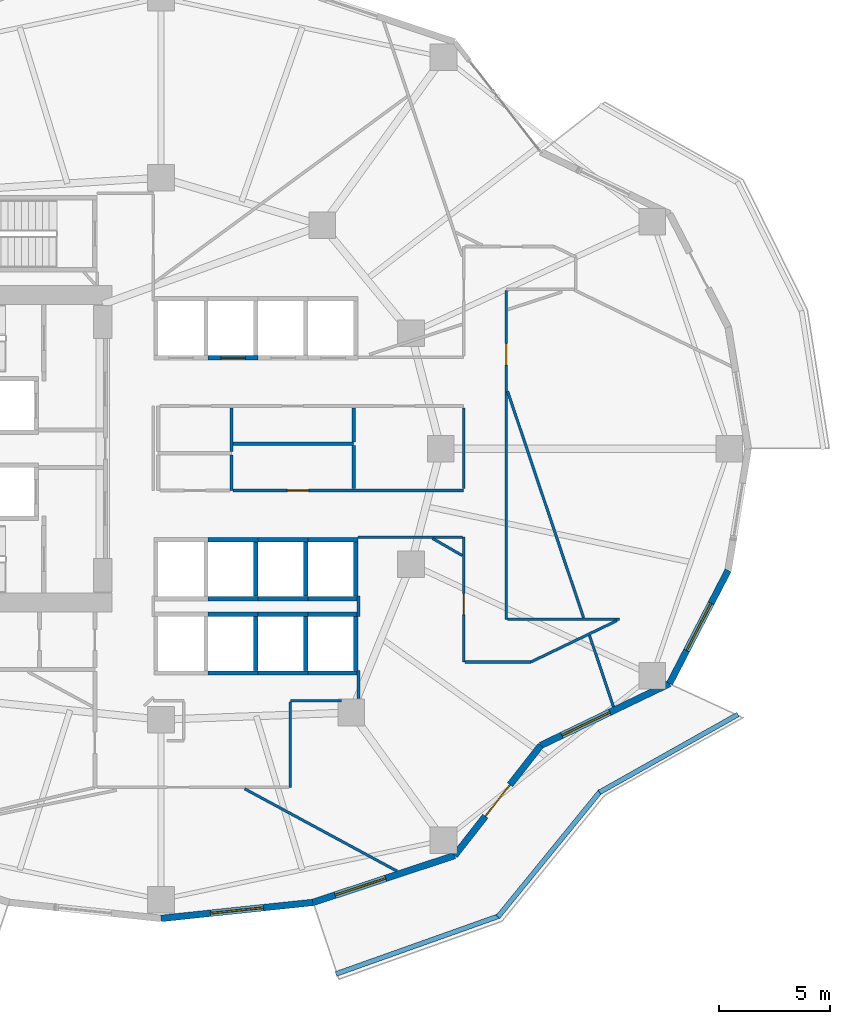
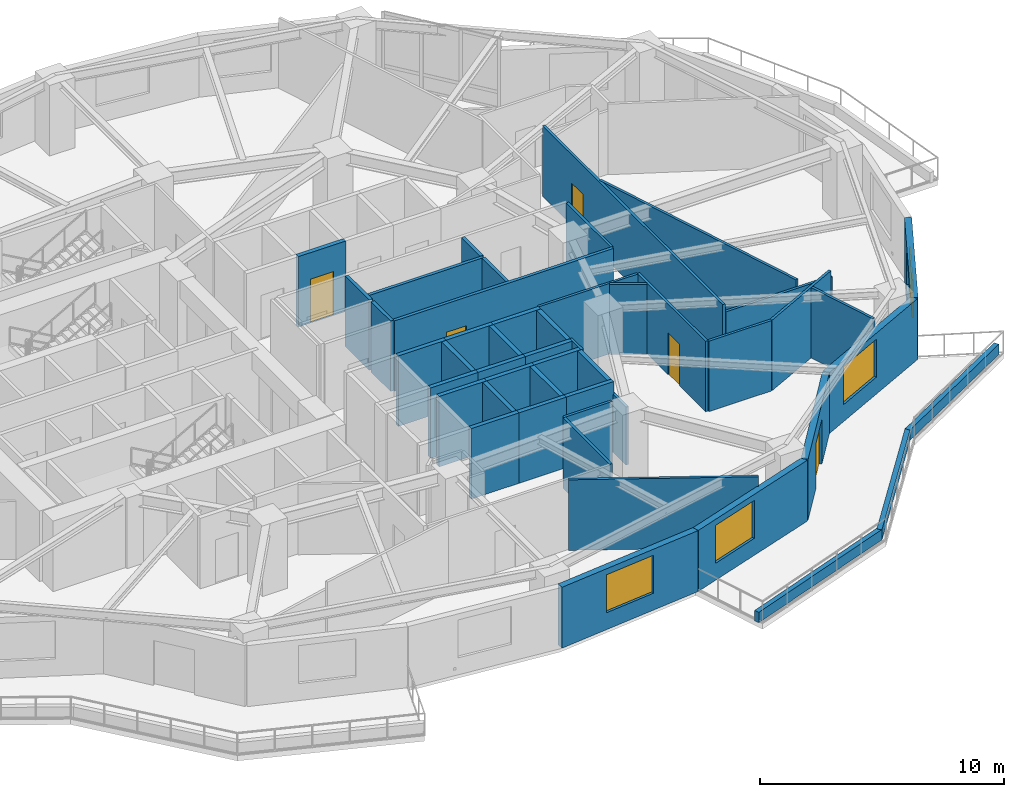
# One storey, part 7 of 12: 48 walls, 5 doors, 4 windows, 9 openings.
"""IFC4 building model written with IfcOpenShell, lengths in metres."""

from ifc_helpers import new_model, si_unit, direction, frame, frame_2d, origin, place, context, subcontext, project, spatial, rectangle, extrude, material, layer, layer_set, type_object, element, fill, save


model = new_model("IFC4")

# Units and contexts
model_context = context("Model", 3, precision=1e-05, world=origin(), true_north=direction((0.0, 1.0)))
body_context = subcontext(model_context, "Body", "Model", "MODEL_VIEW")
ifc_project = project(units=[si_unit("LENGTHUNIT", "METRE"), si_unit("AREAUNIT", "SQUARE_METRE"), si_unit("VOLUMEUNIT", "CUBIC_METRE"), si_unit("PLANEANGLEUNIT", "RADIAN"), si_unit("MASSUNIT", "GRAM", prefix="KILO")], contexts=[model_context])

# Site, building, storey
site_placement = place(None, origin())
site = spatial("IfcSite", under=ifc_project, at=site_placement, CompositionType="ELEMENT")
building_placement = place(site_placement, origin())
building = spatial("IfcBuilding", under=site, at=building_placement, Name="Kolvaren Gate Tower and Convention Centre", CompositionType="ELEMENT")
storey_placement = place(building_placement, frame((0.0, 0.0, 91.949951171875)))
storey = spatial("IfcBuildingStorey", under=building, at=storey_placement, Name="L22", CompositionType="ELEMENT", Elevation=91.949951171875)

# Walls
ifc_material_1 = material(Name="Fire-Rated Acoustic Gypsum Stud Partition", Category="gypsum")
ifc_layer_1 = layer(ifc_material_1, 0.1201171875)
ifc_layer_set_1 = layer_set([ifc_layer_1], Name="Fire-Rated Acoustic Gypsum Stud Partition")
wall_type_1 = type_object("IfcWallType", Name="ARCH-WL-PART-120", PredefinedType="PARTITIONING", material=ifc_layer_set_1)
wall_1_placement = place(storey_placement, frame((35.949951171875, 15.64990234375, 0.0), z_axis=(0.0, 0.0, 1.0), x_axis=(1.0, 0.0, 0.0)))
element("IfcWall", 1, at=wall_1_placement, inside=storey, type_object=wall_type_1, Name="Interior Partition WL-L22-INT-023", PredefinedType="PARTITIONING", context=body_context, shape_type="SweptSolid", body=[
    extrude(rectangle(XDim=2.291015625, YDim=0.1201171875, at=frame_2d((1.1455078125, 0.0))), origin(), (0.0, 0.0, 1.0), 3.530029296875),
])
wall_2_placement = place(storey_placement, frame((35.949951171875, 11.75, 0.0), z_axis=(0.0, 0.0, 1.0), x_axis=(0.0, 1.0, 0.0)))
element("IfcWall", 2, at=wall_2_placement, inside=storey, type_object=wall_type_1, Name="Interior Partition WL-L22-INT-024", PredefinedType="PARTITIONING", context=body_context, shape_type="SweptSolid", body=[
    extrude(rectangle(XDim=3.837890625, YDim=0.1201171875, at=frame_2d((1.9189453125, 0.0))), origin(), (0.0, 0.0, 1.0), 3.530029296875),
])

# Wall, opening, door
wall_3_placement = place(storey_placement, frame((43.75, 17.39990234375, 0.0), z_axis=(0.0, 0.0, 1.0), x_axis=(0.0, 1.0, 0.0)))
wall_3 = element("IfcWall", 3, at=wall_3_placement, inside=storey, type_object=wall_type_1, Name="Interior Partition WL-L22-INT-032", PredefinedType="PARTITIONING", context=body_context, shape_type="SweptSolid", body=[
    extrude(rectangle(XDim=5.6201171875, YDim=0.1201171875, at=frame_2d((2.81005859375, 0.0))), origin(), (0.0, 0.0, 1.0), 3.530029296875),
])
opening_1_placement = place(wall_3_placement, frame((2.125, 0.0, 0.0)))
opening_1 = element("IfcOpeningElement", 4, at=opening_1_placement, cuts=wall_3, Name="Opening DR-01", PredefinedType="OPENING", context=body_context, shape_type="SweptSolid", body=[
    extrude(rectangle(XDim=0.949951171875, YDim=2.10009765625, at=frame_2d((0.47509765625, 1.050048828125))), frame((0.0, 0.070068359375, 0.0), z_axis=(0.0, -1.0, 0.0), x_axis=(1.0, 0.0, 0.0)), (0.0, 0.0, 1.0), 0.14013671875),
])
ifc_material_2 = material(Name="Painted Architectural Steelwork ASTM A500 Grade C 345 MPa", Category="steel")
door_type_1 = type_object("IfcDoorType", Name="ARCH-DR-RISER-950", OperationType="SINGLE_SWING_RIGHT", PredefinedType="DOOR", material=ifc_material_2)
door_1_placement = place(opening_1_placement, origin())
door_1 = element("IfcDoor", 5, at=door_1_placement, inside=storey, type_object=door_type_1, Name="Conference and Training Seminar Room Door", OperationType="SINGLE_SWING_RIGHT", OverallHeight=2.10009765625, OverallWidth=0.949951171875, PredefinedType="DOOR", context=body_context, shape_type="SweptSolid", body=[
    extrude(rectangle(XDim=0.949951171875, YDim=2.10009765625, at=frame_2d((0.47509765625, 1.050048828125))), frame((0.0, 0.02490234375, 0.0), z_axis=(0.0, -1.0, 0.0), x_axis=(1.0, 0.0, 0.0)), (0.0, 0.0, 1.0), 0.050048828125),
])
fill(opening_1, door_1)

# Wall
wall_4_placement = place(storey_placement, frame((43.75, 25.197021484375, 0.0), z_axis=(0.0, 0.0, 1.0), x_axis=(0.0, 1.0, 0.0)))
element("IfcWall", 6, at=wall_4_placement, inside=storey, type_object=wall_type_1, Name="Interior Partition WL-L22-INT-033", PredefinedType="PARTITIONING", context=body_context, shape_type="SweptSolid", body=[
    extrude(rectangle(XDim=3.64599609375, YDim=0.1201171875, at=frame_2d((1.822998046875, 0.0))), origin(), (0.0, 0.0, 1.0), 3.530029296875),
])

# Wall, opening, door
wall_5_placement = place(storey_placement, frame((45.669921875, 19.320068359375, 0.0), z_axis=(0.0, 0.0, 1.0), x_axis=(0.0, 1.0, 0.0)))
wall_5 = element("IfcWall", 7, at=wall_5_placement, inside=storey, type_object=wall_type_1, Name="Interior Partition WL-L22-INT-039", PredefinedType="PARTITIONING", context=body_context, shape_type="SweptSolid", body=[
    extrude(rectangle(XDim=14.7978515625, YDim=0.1201171875, at=frame_2d((7.39892578125, 0.0))), origin(), (0.0, 0.0, 1.0), 3.530029296875),
])
opening_2_placement = place(wall_5_placement, frame((11.4580078125, 0.0, 0.0)))
opening_2 = element("IfcOpeningElement", 8, at=opening_2_placement, cuts=wall_5, Name="Opening DR-01", PredefinedType="OPENING", context=body_context, shape_type="SweptSolid", body=[
    extrude(rectangle(XDim=0.949951171875, YDim=2.10009765625, at=frame_2d((0.47509765625, 1.050048828125))), frame((0.0, 0.070068359375, 0.0), z_axis=(0.0, -1.0, 0.0), x_axis=(1.0, 0.0, 0.0)), (0.0, 0.0, 1.0), 0.14013671875),
])
door_2_placement = place(opening_2_placement, origin())
door_2 = element("IfcDoor", 9, at=door_2_placement, inside=storey, type_object=door_type_1, Name="Conference and Training Seminar Room Door", OperationType="SINGLE_SWING_LEFT", OverallHeight=2.10009765625, OverallWidth=0.949951171875, PredefinedType="DOOR", context=body_context, shape_type="SweptSolid", body=[
    extrude(rectangle(XDim=0.949951171875, YDim=2.10009765625, at=frame_2d((0.47509765625, 1.050048828125))), frame((0.0, 0.02490234375, 0.0), z_axis=(0.0, -1.0, 0.0), x_axis=(1.0, 0.0, 0.0)), (0.0, 0.0, 1.0), 0.050048828125),
])
fill(opening_2, door_2)

# Walls
wall_6_placement = place(storey_placement, frame((45.73193359375, 19.320068359375, 0.0), z_axis=(0.0, 0.0, 1.0), x_axis=(1.0, 0.0, 0.0)))
element("IfcWall", 10, at=wall_6_placement, inside=storey, type_object=wall_type_1, Name="Interior Partition WL-L22-INT-040", PredefinedType="PARTITIONING", context=body_context, shape_type="SweptSolid", body=[
    extrude(rectangle(XDim=5.047119140625, YDim=0.1201171875, at=frame_2d((2.5234375, 0.0))), origin(), (0.0, 0.0, 1.0), 3.1650390625),
])
wall_7_placement = place(storey_placement, frame((46.782958984375, 17.39990234375, 0.0), z_axis=(0.0, 0.0, 1.0), x_axis=(0.901339159108, 0.433113980679, 0.0)))
element("IfcWall", 11, at=wall_7_placement, inside=storey, type_object=wall_type_1, Name="Interior Partition WL-L22-INT-041", PredefinedType="PARTITIONING", context=body_context, shape_type="SweptSolid", body=[
    extrude(rectangle(XDim=4.290283203125, YDim=0.1201171875, at=frame_2d((2.14501953125, 0.0))), origin(), (0.0, 0.0, 1.0), 3.530029296875),
])
wall_8_placement = place(storey_placement, frame((43.81201171875, 17.39990234375, 0.0), z_axis=(0.0, 0.0, 1.0), x_axis=(1.0, 0.0, 0.0)))
element("IfcWall", 12, at=wall_8_placement, inside=storey, type_object=wall_type_1, Name="Interior Partition WL-L22-INT-042", PredefinedType="PARTITIONING", context=body_context, shape_type="SweptSolid", body=[
    extrude(rectangle(XDim=2.970947265625, YDim=0.1201171875, at=frame_2d((1.4853515625, 0.0))), origin(), (0.0, 0.0, 1.0), 3.530029296875),
])
wall_9_placement = place(storey_placement, frame((39.0, 23.02001953125, 0.0), z_axis=(0.0, 0.0, 1.0), x_axis=(1.0, 0.0, 0.0)))
element("IfcWall", 13, at=wall_9_placement, inside=storey, type_object=wall_type_1, Name="Interior Partition WL-L22-INT-043", PredefinedType="PARTITIONING", context=body_context, shape_type="SweptSolid", body=[
    extrude(rectangle(XDim=4.68798828125, YDim=0.1201171875, at=frame_2d((2.343994140625, 0.0))), origin(), (0.0, 0.0, 1.0), 3.530029296875),
])
wall_10_placement = place(storey_placement, frame((39.02001953125, 15.741943359375, 0.0), z_axis=(0.0, 0.0, 1.0), x_axis=(0.0, 1.0, 0.0)))
element("IfcWall", 14, at=wall_10_placement, inside=storey, type_object=wall_type_1, Name="Interior Partition WL-L22-INT-044", PredefinedType="PARTITIONING", context=body_context, shape_type="SweptSolid", body=[
    extrude(rectangle(XDim=1.26806640625, YDim=0.1201171875, at=frame_2d((0.634033203125, 0.0))), origin(), (0.0, 0.0, 1.0), 2.89404296875),
])
wall_11_placement = place(storey_placement, frame((39.02001953125, 19.43994140625, 0.0), z_axis=(0.0, 0.0, 1.0), x_axis=(0.0, 1.0, 0.0)))
element("IfcWall", 15, at=wall_11_placement, inside=storey, type_object=wall_type_1, Name="Interior Partition WL-L22-INT-044 (2)", PredefinedType="PARTITIONING", context=body_context, shape_type="SweptSolid", body=[
    extrude(rectangle(XDim=0.920166015625, YDim=0.1201171875, at=frame_2d((0.4599609375, 0.0))), origin(), (0.0, 0.0, 1.0), 3.530029296875),
])
wall_12_placement = place(storey_placement, frame((33.888916015625, 11.68798828125, 0.0), z_axis=(0.0, 0.0, 1.0), x_axis=(0.879862970093, -0.475227475909, 0.0)))
element("IfcWall", 16, at=wall_12_placement, inside=storey, type_object=wall_type_1, Name="Interior Partition WL-L22-INT-050", PredefinedType="PARTITIONING", context=body_context, shape_type="SweptSolid", body=[
    extrude(rectangle(XDim=7.79541015625, YDim=0.1201171875, at=frame_2d((3.897705078125, 0.0))), origin(), (0.0, 0.0, 1.0), 3.530029296875),
])
wall_13_placement = place(storey_placement, frame((42.35546875, 22.9580078125, 0.0), z_axis=(0.0, 0.0, 1.0), x_axis=(0.866037617598, -0.499978844458, 0.0)))
element("IfcWall", 17, at=wall_13_placement, inside=storey, type_object=wall_type_1, Name="Interior Partition WL-L22-INT-053", PredefinedType="PARTITIONING", context=body_context, shape_type="SweptSolid", body=[
    extrude(rectangle(XDim=1.53857421875, YDim=0.1201171875, at=frame_2d((0.769287109375, 0.0))), origin(), (0.0, 0.0, 1.0), 3.530029296875),
])
wall_14_placement = place(storey_placement, frame((45.73193359375, 29.5791015625, 0.0), z_axis=(0.0, 0.0, 1.0), x_axis=(0.318099793934, -0.948057235139, 0.0)))
element("IfcWall", 18, at=wall_14_placement, inside=storey, type_object=wall_type_1, Name="Interior Partition WL-L22-INT-055", PredefinedType="PARTITIONING", context=body_context, shape_type="SweptSolid", body=[
    extrude(rectangle(XDim=10.755615234375, YDim=0.1201171875, at=frame_2d((5.3779296875, 0.0))), origin(), (0.0, 0.0, 1.0), 3.530029296875),
])
wall_15_placement = place(storey_placement, frame((49.4169921875, 18.5966796875, 0.0), z_axis=(0.0, 0.0, 1.0), x_axis=(0.318105552227, -0.948055303051, 0.0)))
element("IfcWall", 19, at=wall_15_placement, inside=storey, type_object=wall_type_1, Name="Interior Partition WL-L22-INT-056", PredefinedType="PARTITIONING", context=body_context, shape_type="SweptSolid", body=[
    extrude(rectangle(XDim=3.392333984375, YDim=0.1201171875, at=frame_2d((1.6962890625, 0.0))), origin(), (0.0, 0.0, 1.0), 3.530029296875),
])
ifc_material_3 = material(Name="Piedmont Cream Honed Limestone Cladding", Category="masonry")
ifc_layer_2 = layer(ifc_material_3, 0.219970703125)
ifc_layer_set_2 = layer_set([ifc_layer_2], Name="Piedmont Cream Honed Limestone Cladding")
wall_type_2 = type_object("IfcWallType", Name="ARCH-WL-PLANTER-220", PredefinedType="PARAPET", material=ifc_layer_set_2)
wall_16_placement = place(storey_placement, frame((38.001220703125, 3.348876953125, 0.0), z_axis=(0.0, 0.0, 1.0), x_axis=(0.942203722205, 0.335040513764, 0.0)))
element("IfcWall", 20, at=wall_16_placement, inside=storey, type_object=wall_type_2, Name="Vertical-Forest Balcony Stone Planter Kerb PK-L22-4.1", PredefinedType="PARAPET", context=body_context, shape_type="SweptSolid", body=[
    extrude(rectangle(XDim=7.80712890625, YDim=0.219970703125, at=frame_2d((3.903564453125, 0.0))), origin(), (0.0, 0.0, 1.0), 0.52001953125),
])
wall_17_placement = place(storey_placement, frame((45.2919921875, 5.91796875, 0.0), z_axis=(0.0, 0.0, 1.0), x_axis=(0.631819273026, 0.775115737315, 0.0)))
element("IfcWall", 21, at=wall_17_placement, inside=storey, type_object=wall_type_2, Name="Vertical-Forest Balcony Stone Planter Kerb PK-L22-4.2", PredefinedType="PARAPET", context=body_context, shape_type="SweptSolid", body=[
    extrude(rectangle(XDim=7.31591796875, YDim=0.219970703125, at=frame_2d((3.657958984375, 0.0))), origin(), (0.0, 0.0, 1.0), 0.52001953125),
])
wall_18_placement = place(storey_placement, frame((49.867919921875, 11.530517578125, 0.0), z_axis=(0.0, 0.0, 1.0), x_axis=(0.871775109335, 0.489906275468, 0.0)))
element("IfcWall", 22, at=wall_18_placement, inside=storey, type_object=wall_type_2, Name="Vertical-Forest Balcony Stone Planter Kerb PK-L22-4.3", PredefinedType="PARAPET", context=body_context, shape_type="SweptSolid", body=[
    extrude(rectangle(XDim=7.152099609375, YDim=0.219970703125, at=frame_2d((3.576171875, 0.0))), origin(), (0.0, 0.0, 1.0), 0.52001953125),
])

# Wall, opening, door
ifc_material_4 = material(Name="Autoclaved Aerated Masonry Blockwork Class 4 (4.0 MPa)", Category="masonry")
ifc_layer_3 = layer(ifc_material_4, 0.199951171875)
ifc_layer_set_3 = layer_set([ifc_layer_3], Name="Autoclaved Aerated Masonry Blockwork Class 4 (4.0 MPa)")
wall_type_3 = type_object("IfcWallType", Name="ARCH-WL-SHAFT-200", PredefinedType="SOLIDWALL", material=ifc_layer_set_3)
wall_19_placement = place(storey_placement, frame((32.25, 31.10009765625, 0.0), z_axis=(0.0, 0.0, 1.0), x_axis=(1.0, 0.0, 0.0)))
wall_19 = element("IfcWall", 23, at=wall_19_placement, inside=storey, type_object=wall_type_3, Name="Elevator PL-02 L22 Fire Shaft Wall S", PredefinedType="SOLIDWALL", context=body_context, shape_type="SweptSolid", body=[
    extrude(rectangle(XDim=2.25, YDim=0.199951171875, at=frame_2d((1.125, 0.0))), origin(), (0.0, 0.0, 1.0), 3.530029296875),
])
opening_3_placement = place(wall_19_placement, frame((0.574951171875, 0.0, 0.0)))
opening_3 = element("IfcOpeningElement", 24, at=opening_3_placement, cuts=wall_19, Name="Opening LD", PredefinedType="OPENING", context=body_context, shape_type="SweptSolid", body=[
    extrude(rectangle(XDim=1.10009765625, YDim=2.199951171875, at=frame_2d((0.550048828125, 1.10009765625))), frame((0.0, 0.10986328125, 0.0), z_axis=(0.0, -1.0, 0.0), x_axis=(1.0, 0.0, 0.0)), (0.0, 0.0, 1.0), 0.219970703125),
])
ifc_material_5 = material(Name="Brushed Stainless Steel Grade 316L", Category="steel")
door_type_2 = type_object("IfcDoorType", Name="ARCH-DR-LIFT-1100", OperationType="SLIDING_TO_LEFT", PredefinedType="DOOR", material=ifc_material_5)
door_3_placement = place(opening_3_placement, origin())
door_3 = element("IfcDoor", 25, at=door_3_placement, inside=storey, type_object=door_type_2, Name="Elevator PL-02 L22 Sliding Landing Door", OperationType="SLIDING_TO_LEFT", OverallHeight=2.199951171875, OverallWidth=1.10009765625, PredefinedType="DOOR", context=body_context, shape_type="SweptSolid", body=[
    extrude(rectangle(XDim=1.10009765625, YDim=2.199951171875, at=frame_2d((0.550048828125, 1.10009765625))), frame((0.0, 0.02490234375, 0.0), z_axis=(0.0, -1.0, 0.0), x_axis=(1.0, 0.0, 0.0)), (0.0, 0.0, 1.0), 0.050048828125),
])
fill(opening_3, door_3)

# Walls
for number, where, z_axis, x_axis, name in (
    (26, (32.25, 19.550048828125, 0.0), (0.0, 0.0, 1.0), (1.0, 0.0, 0.0), "Elevator PL-06 L22 Fire Shaft Wall N"),
    (27, (32.25, 16.89990234375, 0.0), (0.0, 0.0, 1.0), (1.0, 0.0, 0.0), "Elevator PL-06 L22 Fire Shaft Wall S"),
):
    element("IfcWall", number, at=place(storey_placement, frame(where, z_axis=z_axis, x_axis=x_axis)), inside=storey, type_object=wall_type_3, Name=name, PredefinedType="SOLIDWALL", context=body_context, shape_type="SweptSolid", body=[
        extrude(rectangle(XDim=2.25, YDim=0.199951171875, at=frame_2d((1.125, 0.0))), origin(), (0.0, 0.0, 1.0), 3.530029296875),
    ])
wall_20_placement = place(storey_placement, frame((34.39990234375, 17.010009765625, 0.0), z_axis=(0.0, 0.0, 1.0), x_axis=(0.0, 1.0, 0.0)))
element("IfcWall", 28, at=wall_20_placement, inside=storey, type_object=wall_type_3, Name="Elevator PL-06 L22 Fire Shaft Wall E", PredefinedType="SOLIDWALL", context=body_context, shape_type="SweptSolid", body=[
    extrude(rectangle(XDim=2.429931640625, YDim=0.199951171875, at=frame_2d((1.21484375, 0.0))), origin(), (0.0, 0.0, 1.0), 3.530029296875),
])
for number, where, z_axis, x_axis, name in (
    (29, (34.5, 19.550048828125, 0.0), (0.0, 0.0, 1.0), (1.0, 0.0, 0.0), "Elevator PL-07 L22 Fire Shaft Wall N"),
    (30, (34.5, 16.89990234375, 0.0), (0.0, 0.0, 1.0), (1.0, 0.0, 0.0), "Elevator PL-07 L22 Fire Shaft Wall S"),
):
    element("IfcWall", number, at=place(storey_placement, frame(where, z_axis=z_axis, x_axis=x_axis)), inside=storey, type_object=wall_type_3, Name=name, PredefinedType="SOLIDWALL", context=body_context, shape_type="SweptSolid", body=[
        extrude(rectangle(XDim=2.25, YDim=0.199951171875, at=frame_2d((1.125, 0.0))), origin(), (0.0, 0.0, 1.0), 3.530029296875),
    ])
wall_21_placement = place(storey_placement, frame((36.64990234375, 17.010009765625, 0.0), z_axis=(0.0, 0.0, 1.0), x_axis=(0.0, 1.0, 0.0)))
element("IfcWall", 31, at=wall_21_placement, inside=storey, type_object=wall_type_3, Name="Elevator PL-07 L22 Fire Shaft Wall E", PredefinedType="SOLIDWALL", context=body_context, shape_type="SweptSolid", body=[
    extrude(rectangle(XDim=2.429931640625, YDim=0.199951171875, at=frame_2d((1.21484375, 0.0))), origin(), (0.0, 0.0, 1.0), 3.530029296875),
])
for number, where, z_axis, x_axis, name in (
    (32, (36.75, 19.550048828125, 0.0), (0.0, 0.0, 1.0), (1.0, 0.0, 0.0), "Elevator PL-08 L22 Fire Shaft Wall N"),
    (33, (36.75, 16.89990234375, 0.0), (0.0, 0.0, 1.0), (1.0, 0.0, 0.0), "Elevator PL-08 L22 Fire Shaft Wall S"),
):
    element("IfcWall", number, at=place(storey_placement, frame(where, z_axis=z_axis, x_axis=x_axis)), inside=storey, type_object=wall_type_3, Name=name, PredefinedType="SOLIDWALL", context=body_context, shape_type="SweptSolid", body=[
        extrude(rectangle(XDim=2.25, YDim=0.199951171875, at=frame_2d((1.125, 0.0))), origin(), (0.0, 0.0, 1.0), 3.530029296875),
    ])
wall_22_placement = place(storey_placement, frame((38.89990234375, 17.010009765625, 0.0), z_axis=(0.0, 0.0, 1.0), x_axis=(0.0, 1.0, 0.0)))
element("IfcWall", 34, at=wall_22_placement, inside=storey, type_object=wall_type_3, Name="Elevator PL-08 L22 Fire Shaft Wall E", PredefinedType="SOLIDWALL", context=body_context, shape_type="SweptSolid", body=[
    extrude(rectangle(XDim=2.429931640625, YDim=0.199951171875, at=frame_2d((1.21484375, 0.0))), origin(), (0.0, 0.0, 1.0), 3.530029296875),
])
for number, where, z_axis, x_axis, name in (
    (35, (32.25, 22.89990234375, 0.0), (0.0, 0.0, 1.0), (1.0, 0.0, 0.0), "Elevator PL-10 L22 Fire Shaft Wall N"),
    (36, (32.25, 20.25, 0.0), (0.0, 0.0, 1.0), (1.0, 0.0, 0.0), "Elevator PL-10 L22 Fire Shaft Wall S"),
):
    element("IfcWall", number, at=place(storey_placement, frame(where, z_axis=z_axis, x_axis=x_axis)), inside=storey, type_object=wall_type_3, Name=name, PredefinedType="SOLIDWALL", context=body_context, shape_type="SweptSolid", body=[
        extrude(rectangle(XDim=2.25, YDim=0.199951171875, at=frame_2d((1.125, 0.0))), origin(), (0.0, 0.0, 1.0), 3.530029296875),
    ])
wall_23_placement = place(storey_placement, frame((34.39990234375, 20.360107421875, 0.0), z_axis=(0.0, 0.0, 1.0), x_axis=(0.0, 1.0, 0.0)))
element("IfcWall", 37, at=wall_23_placement, inside=storey, type_object=wall_type_3, Name="Elevator PL-10 L22 Fire Shaft Wall E", PredefinedType="SOLIDWALL", context=body_context, shape_type="SweptSolid", body=[
    extrude(rectangle(XDim=2.429931640625, YDim=0.199951171875, at=frame_2d((1.21484375, 0.0))), origin(), (0.0, 0.0, 1.0), 3.530029296875),
])
for number, where, z_axis, x_axis, name in (
    (38, (34.5, 22.89990234375, 0.0), (0.0, 0.0, 1.0), (1.0, 0.0, 0.0), "Elevator PL-11 L22 Fire Shaft Wall N"),
    (39, (34.5, 20.25, 0.0), (0.0, 0.0, 1.0), (1.0, 0.0, 0.0), "Elevator PL-11 L22 Fire Shaft Wall S"),
):
    element("IfcWall", number, at=place(storey_placement, frame(where, z_axis=z_axis, x_axis=x_axis)), inside=storey, type_object=wall_type_3, Name=name, PredefinedType="SOLIDWALL", context=body_context, shape_type="SweptSolid", body=[
        extrude(rectangle(XDim=2.25, YDim=0.199951171875, at=frame_2d((1.125, 0.0))), origin(), (0.0, 0.0, 1.0), 3.530029296875),
    ])
wall_24_placement = place(storey_placement, frame((36.64990234375, 20.360107421875, 0.0), z_axis=(0.0, 0.0, 1.0), x_axis=(0.0, 1.0, 0.0)))
element("IfcWall", 40, at=wall_24_placement, inside=storey, type_object=wall_type_3, Name="Elevator PL-11 L22 Fire Shaft Wall E", PredefinedType="SOLIDWALL", context=body_context, shape_type="SweptSolid", body=[
    extrude(rectangle(XDim=2.429931640625, YDim=0.199951171875, at=frame_2d((1.21484375, 0.0))), origin(), (0.0, 0.0, 1.0), 3.530029296875),
])
for number, where, z_axis, x_axis, name in (
    (41, (36.75, 22.89990234375, 0.0), (0.0, 0.0, 1.0), (1.0, 0.0, 0.0), "Elevator PL-12 L22 Fire Shaft Wall N"),
    (42, (36.75, 20.25, 0.0), (0.0, 0.0, 1.0), (1.0, 0.0, 0.0), "Elevator PL-12 L22 Fire Shaft Wall S"),
):
    element("IfcWall", number, at=place(storey_placement, frame(where, z_axis=z_axis, x_axis=x_axis)), inside=storey, type_object=wall_type_3, Name=name, PredefinedType="SOLIDWALL", context=body_context, shape_type="SweptSolid", body=[
        extrude(rectangle(XDim=2.25, YDim=0.199951171875, at=frame_2d((1.125, 0.0))), origin(), (0.0, 0.0, 1.0), 3.530029296875),
    ])
wall_25_placement = place(storey_placement, frame((38.89990234375, 20.360107421875, 0.0), z_axis=(0.0, 0.0, 1.0), x_axis=(0.0, 1.0, 0.0)))
element("IfcWall", 43, at=wall_25_placement, inside=storey, type_object=wall_type_3, Name="Elevator PL-12 L22 Fire Shaft Wall E", PredefinedType="SOLIDWALL", context=body_context, shape_type="SweptSolid", body=[
    extrude(rectangle(XDim=2.429931640625, YDim=0.199951171875, at=frame_2d((1.21484375, 0.0))), origin(), (0.0, 0.0, 1.0), 3.530029296875),
])

# Wall, opening, window
ifc_layer_4 = layer(ifc_material_3, 0.300048828125)
ifc_layer_set_4 = layer_set([ifc_layer_4], Name="Piedmont Cream Honed Limestone Cladding")
wall_type_4 = type_object("IfcWallType", Name="ARCH-WL-STONE-300", PredefinedType="SOLIDWALL", material=ifc_layer_set_4)
wall_26_placement = place(storey_placement, frame((30.125, 5.85009765625, 0.0), z_axis=(0.0, 0.0, 1.0), x_axis=(0.994498840295, 0.104747585419, 0.0)))
wall_26 = element("IfcWall", 44, at=wall_26_placement, inside=storey, type_object=wall_type_4, Name="Tower L22 Honed Stone Spandrel Wall EW-18", PredefinedType="SOLIDWALL", context=body_context, shape_type="SweptSolid", body=[
    extrude(rectangle(XDim=6.88037109375, YDim=0.300048828125, at=frame_2d((3.440185546875, 0.0))), origin(), (0.0, 0.0, 1.0), 3.052978515625),
])
opening_4_placement = place(wall_26_placement, frame((2.239990234375, 0.0, 0.85009765625)))
opening_4 = element("IfcOpeningElement", 45, at=opening_4_placement, cuts=wall_26, Name="Opening W-01", PredefinedType="OPENING", context=body_context, shape_type="SweptSolid", body=[
    extrude(rectangle(XDim=2.39990234375, YDim=1.89990234375, at=frame_2d((1.199951171875, 0.949951171875))), frame((0.0, 0.159912109375, 0.0), z_axis=(0.0, -1.0, 0.0), x_axis=(1.0, 0.0, 0.0)), (0.0, 0.0, 1.0), 0.320068359375),
])
ifc_material_6 = material(Name="Low-E Triple Insulated Glazing Unit 44 mm", Category="glass")
window_type = type_object("IfcWindowType", Name="ARCH-WN-OFF-2400", PartitioningType="SINGLE_PANEL", PredefinedType="WINDOW", material=ifc_material_6)
window_1_placement = place(opening_4_placement, origin())
window_1 = element("IfcWindow", 46, at=window_1_placement, inside=storey, type_object=window_type, Name="Tower L22 Punched Stone Facade Window W-18", OverallHeight=1.89990234375, OverallWidth=2.39990234375, PartitioningType="SINGLE_PANEL", PredefinedType="WINDOW", context=body_context, shape_type="SweptSolid", body=[
    extrude(rectangle(XDim=2.39990234375, YDim=1.89990234375, at=frame_2d((1.199951171875, 0.949951171875))), frame((0.0, 0.030029296875, 0.0), z_axis=(0.0, -1.0, 0.0), x_axis=(1.0, 0.0, 0.0)), (0.0, 0.0, 1.0), 0.06005859375),
])
fill(opening_4, window_1)

wall_27_placement = place(storey_placement, frame((36.967529296875, 6.57080078125, 0.0), z_axis=(0.0, 0.0, 1.0), x_axis=(0.949245153629, 0.314537181127, 0.0)))
wall_27 = element("IfcWall", 47, at=wall_27_placement, inside=storey, type_object=wall_type_4, Name="Tower L22 Honed Stone Spandrel Wall EW-19", PredefinedType="SOLIDWALL", context=body_context, shape_type="SweptSolid", body=[
    extrude(rectangle(XDim=6.717041015625, YDim=0.300048828125, at=frame_2d((3.3583984375, 0.0))), origin(), (0.0, 0.0, 1.0), 3.052978515625),
])
opening_5_placement = place(wall_27_placement, frame((1.050048828125, 0.0, 0.85009765625)))
opening_5 = element("IfcOpeningElement", 48, at=opening_5_placement, cuts=wall_27, Name="Opening W-01", PredefinedType="OPENING", context=body_context, shape_type="SweptSolid", body=[
    extrude(rectangle(XDim=2.39990234375, YDim=1.89990234375, at=frame_2d((1.199951171875, 0.949951171875))), frame((0.0, 0.159912109375, 0.0), z_axis=(0.0, -1.0, 0.0), x_axis=(1.0, 0.0, 0.0)), (0.0, 0.0, 1.0), 0.320068359375),
])
window_2_placement = place(opening_5_placement, origin())
window_2 = element("IfcWindow", 49, at=window_2_placement, inside=storey, type_object=window_type, Name="Tower L22 Punched Stone Facade Window W-19", OverallHeight=1.89990234375, OverallWidth=2.39990234375, PartitioningType="SINGLE_PANEL", PredefinedType="WINDOW", context=body_context, shape_type="SweptSolid", body=[
    extrude(rectangle(XDim=2.39990234375, YDim=1.89990234375, at=frame_2d((1.199951171875, 0.949951171875))), frame((0.0, 0.030029296875, 0.0), z_axis=(0.0, -1.0, 0.0), x_axis=(1.0, 0.0, 0.0)), (0.0, 0.0, 1.0), 0.06005859375),
])
fill(opening_5, window_2)

# Wall, opening, door
wall_28_placement = place(storey_placement, frame((43.34375, 8.68359375, 0.0), z_axis=(0.0, 0.0, 1.0), x_axis=(0.616434798832, 0.78740595552, 0.0)))
wall_28 = element("IfcWall", 50, at=wall_28_placement, inside=storey, type_object=wall_type_4, Name="Tower L22 Honed Stone Spandrel Wall EW-20", PredefinedType="SOLIDWALL", context=body_context, shape_type="SweptSolid", body=[
    extrude(rectangle(XDim=6.29443359375, YDim=0.300048828125, at=frame_2d((3.147216796875, 0.0))), origin(), (0.0, 0.0, 1.0), 3.052978515625),
])
opening_6_placement = place(wall_28_placement, frame((2.2470703125, 0.0, 0.0)))
opening_6 = element("IfcOpeningElement", 51, at=opening_6_placement, cuts=wall_28, Name="Opening DB-01", PredefinedType="OPENING", context=body_context, shape_type="SweptSolid", body=[
    extrude(rectangle(XDim=1.800048828125, YDim=2.25, at=frame_2d((0.89990234375, 1.125))), frame((0.0, 0.159912109375, 0.0), z_axis=(0.0, -1.0, 0.0), x_axis=(1.0, 0.0, 0.0)), (0.0, 0.0, 1.0), 0.320068359375),
])
ifc_material_7 = material(Name="Anodized Architectural Aluminium Alloy 6063-T6", Category="aluminium")
door_type_3 = type_object("IfcDoorType", Name="ARCH-DR-BALC-1800", OperationType="SLIDING_TO_LEFT", PredefinedType="DOOR", material=ifc_material_7)
door_4_placement = place(opening_6_placement, frame((1.800048828125, 0.0, 0.0), z_axis=(0.0, 0.0, 1.0), x_axis=(-1.0, 0.0, 0.0)))
door_4 = element("IfcDoor", 52, at=door_4_placement, inside=storey, type_object=door_type_3, Name="Planted Sky Terrace Access Door DB-L22-20", OperationType="SLIDING_TO_LEFT", OverallHeight=2.25, OverallWidth=1.800048828125, PredefinedType="DOOR", context=body_context, shape_type="SweptSolid", body=[
    extrude(rectangle(XDim=1.800048828125, YDim=2.25, at=frame_2d((0.89990234375, 1.125))), frame((0.0, 0.02490234375, 0.0), z_axis=(0.0, -1.0, 0.0), x_axis=(1.0, 0.0, 0.0)), (0.0, 0.0, 1.0), 0.050048828125),
])
fill(opening_6, door_4)

# Wall, opening, window
wall_29_placement = place(storey_placement, frame((47.223876953125, 13.639892578125, 0.0), z_axis=(0.0, 0.0, 1.0), x_axis=(0.901354747727, 0.433081538224, 0.0)))
wall_29 = element("IfcWall", 53, at=wall_29_placement, inside=storey, type_object=wall_type_4, Name="Tower L22 Honed Stone Spandrel Wall EW-21", PredefinedType="SOLIDWALL", context=body_context, shape_type="SweptSolid", body=[
    extrude(rectangle(XDim=6.430908203125, YDim=0.300048828125, at=frame_2d((3.21533203125, 0.0))), origin(), (0.0, 0.0, 1.0), 3.052978515625),
])
opening_7_placement = place(wall_29_placement, frame((1.050048828125, 0.0, 0.85009765625)))
opening_7 = element("IfcOpeningElement", 54, at=opening_7_placement, cuts=wall_29, Name="Opening W-01", PredefinedType="OPENING", context=body_context, shape_type="SweptSolid", body=[
    extrude(rectangle(XDim=2.39990234375, YDim=1.89990234375, at=frame_2d((1.199951171875, 0.949951171875))), frame((0.0, 0.159912109375, 0.0), z_axis=(0.0, -1.0, 0.0), x_axis=(1.0, 0.0, 0.0)), (0.0, 0.0, 1.0), 0.320068359375),
])
window_3_placement = place(opening_7_placement, origin())
window_3 = element("IfcWindow", 55, at=window_3_placement, inside=storey, type_object=window_type, Name="Tower L22 Punched Stone Facade Window W-21", OverallHeight=1.89990234375, OverallWidth=2.39990234375, PartitioningType="SINGLE_PANEL", PredefinedType="WINDOW", context=body_context, shape_type="SweptSolid", body=[
    extrude(rectangle(XDim=2.39990234375, YDim=1.89990234375, at=frame_2d((1.199951171875, 0.949951171875))), frame((0.0, 0.030029296875, 0.0), z_axis=(0.0, -1.0, 0.0), x_axis=(1.0, 0.0, 0.0)), (0.0, 0.0, 1.0), 0.06005859375),
])
fill(opening_7, window_3)

wall_30_placement = place(storey_placement, frame((53.0205078125, 16.425048828125, 0.0), z_axis=(0.0, 0.0, 1.0), x_axis=(0.459800981414, 0.888021991558, 0.0)))
wall_30 = element("IfcWall", 56, at=wall_30_placement, inside=storey, type_object=wall_type_4, Name="Tower L22 Honed Stone Spandrel Wall EW-22", PredefinedType="SOLIDWALL", context=body_context, shape_type="SweptSolid", body=[
    extrude(rectangle(XDim=5.744140625, YDim=0.300048828125, at=frame_2d((2.8720703125, 0.0))), origin(), (0.0, 0.0, 1.0), 3.052978515625),
])
opening_8_placement = place(wall_30_placement, frame((1.672119140625, 0.0, 0.85009765625)))
opening_8 = element("IfcOpeningElement", 57, at=opening_8_placement, cuts=wall_30, Name="Opening W-01", PredefinedType="OPENING", context=body_context, shape_type="SweptSolid", body=[
    extrude(rectangle(XDim=2.39990234375, YDim=1.89990234375, at=frame_2d((1.199951171875, 0.949951171875))), frame((0.0, 0.159912109375, 0.0), z_axis=(0.0, -1.0, 0.0), x_axis=(1.0, 0.0, 0.0)), (0.0, 0.0, 1.0), 0.320068359375),
])
window_4_placement = place(opening_8_placement, origin())
window_4 = element("IfcWindow", 58, at=window_4_placement, inside=storey, type_object=window_type, Name="Tower L22 Punched Stone Facade Window W-22", OverallHeight=1.89990234375, OverallWidth=2.39990234375, PartitioningType="SINGLE_PANEL", PredefinedType="WINDOW", context=body_context, shape_type="SweptSolid", body=[
    extrude(rectangle(XDim=2.39990234375, YDim=1.89990234375, at=frame_2d((1.199951171875, 0.949951171875))), frame((0.0, 0.030029296875, 0.0), z_axis=(0.0, -1.0, 0.0), x_axis=(1.0, 0.0, 0.0)), (0.0, 0.0, 1.0), 0.06005859375),
])
fill(opening_8, window_4)

# Walls
ifc_material_8 = material(Name="Moisture-Resistant Cement-Board Acoustic Partition", Category="gypsum")
ifc_layer_5 = layer(ifc_material_8, 0.14990234375)
ifc_layer_set_5 = layer_set([ifc_layer_5], Name="Moisture-Resistant Cement-Board Acoustic Partition")
wall_type_5 = type_object("IfcWallType", Name="ARCH-WL-WET-150", PredefinedType="PARTITIONING", material=ifc_layer_set_5)
wall_31_placement = place(storey_placement, frame((33.300048828125, 25.1201171875, 0.0), z_axis=(0.0, 0.0, 1.0), x_axis=(0.0, 1.0, 0.0)))
element("IfcWall", 59, at=wall_31_placement, inside=storey, type_object=wall_type_5, Name="Interior Partition WL-L22-INT-018", PredefinedType="PARTITIONING", context=body_context, shape_type="SweptSolid", body=[
    extrude(rectangle(XDim=1.602783203125, YDim=0.14990234375, at=frame_2d((0.80126953125, 0.0))), origin(), (0.0, 0.0, 1.0), 3.530029296875),
])
wall_32_placement = place(storey_placement, frame((33.300048828125, 26.876953125, 0.0), z_axis=(0.0, 0.0, 1.0), x_axis=(0.0, 1.0, 0.0)))
element("IfcWall", 60, at=wall_32_placement, inside=storey, type_object=wall_type_5, Name="Interior Partition WL-L22-INT-018 (2)", PredefinedType="PARTITIONING", context=body_context, shape_type="SweptSolid", body=[
    extrude(rectangle(XDim=1.966064453125, YDim=0.14990234375, at=frame_2d((0.98291015625, 0.0))), origin(), (0.0, 0.0, 1.0), 3.530029296875),
])

# Wall, opening, door
wall_33_placement = place(storey_placement, frame((33.376953125, 25.1201171875, 0.0), z_axis=(0.0, 0.0, 1.0), x_axis=(1.0, 0.0, 0.0)))
wall_33 = element("IfcWall", 61, at=wall_33_placement, inside=storey, type_object=wall_type_5, Name="Interior Partition WL-L22-INT-019 (2)", PredefinedType="PARTITIONING", context=body_context, shape_type="SweptSolid", body=[
    extrude(rectangle(XDim=10.373046875, YDim=0.14990234375, at=frame_2d((5.1865234375, 0.0))), origin(), (0.0, 0.0, 1.0), 3.530029296875),
])
opening_9_placement = place(wall_33_placement, frame((2.44140625, 0.0, 0.0)))
opening_9 = element("IfcOpeningElement", 62, at=opening_9_placement, cuts=wall_33, Name="Opening DR-01", PredefinedType="OPENING", context=body_context, shape_type="SweptSolid", body=[
    extrude(rectangle(XDim=0.949951171875, YDim=2.10009765625, at=frame_2d((0.47509765625, 1.050048828125))), frame((0.0, 0.0849609375, 0.0), z_axis=(0.0, -1.0, 0.0), x_axis=(1.0, 0.0, 0.0)), (0.0, 0.0, 1.0), 0.169921875),
])
door_5_placement = place(opening_9_placement, origin())
door_5 = element("IfcDoor", 63, at=door_5_placement, inside=storey, type_object=door_type_1, Name="Floor Coffee Pantry Door", OperationType="SINGLE_SWING_LEFT", OverallHeight=2.10009765625, OverallWidth=0.949951171875, PredefinedType="DOOR", context=body_context, shape_type="SweptSolid", body=[
    extrude(rectangle(XDim=0.949951171875, YDim=2.10009765625, at=frame_2d((0.47509765625, 1.050048828125))), frame((0.0, 0.02490234375, 0.0), z_axis=(0.0, -1.0, 0.0), x_axis=(1.0, 0.0, 0.0)), (0.0, 0.0, 1.0), 0.050048828125),
])
fill(opening_9, door_5)

# Walls
wall_34_placement = place(storey_placement, frame((33.376953125, 27.219970703125, 0.0), z_axis=(0.0, 0.0, 1.0), x_axis=(1.0, 0.0, 0.0)))
element("IfcWall", 64, at=wall_34_placement, inside=storey, type_object=wall_type_5, Name="Interior Partition WL-L22-INT-020", PredefinedType="PARTITIONING", context=body_context, shape_type="SweptSolid", body=[
    extrude(rectangle(XDim=5.423095703125, YDim=0.14990234375, at=frame_2d((2.71142578125, 0.0))), origin(), (0.0, 0.0, 1.0), 3.530029296875),
])
wall_35_placement = place(storey_placement, frame((38.800048828125, 25.197021484375, 0.0), z_axis=(0.0, 0.0, 1.0), x_axis=(0.0, 1.0, 0.0)))
element("IfcWall", 65, at=wall_35_placement, inside=storey, type_object=wall_type_5, Name="Interior Partition WL-L22-INT-021", PredefinedType="PARTITIONING", context=body_context, shape_type="SweptSolid", body=[
    extrude(rectangle(XDim=1.946044921875, YDim=0.14990234375, at=frame_2d((0.97314453125, 0.0))), origin(), (0.0, 0.0, 1.0), 3.530029296875),
])
wall_36_placement = place(storey_placement, frame((38.800048828125, 27.297119140625, 0.0), z_axis=(0.0, 0.0, 1.0), x_axis=(0.0, 1.0, 0.0)))
element("IfcWall", 66, at=wall_36_placement, inside=storey, type_object=wall_type_5, Name="Interior Partition WL-L22-INT-021 (2)", PredefinedType="PARTITIONING", context=body_context, shape_type="SweptSolid", body=[
    extrude(rectangle(XDim=1.5458984375, YDim=0.14990234375, at=frame_2d((0.77294921875, 0.0))), origin(), (0.0, 0.0, 1.0), 3.530029296875),
])

save(model, "model.ifc")
